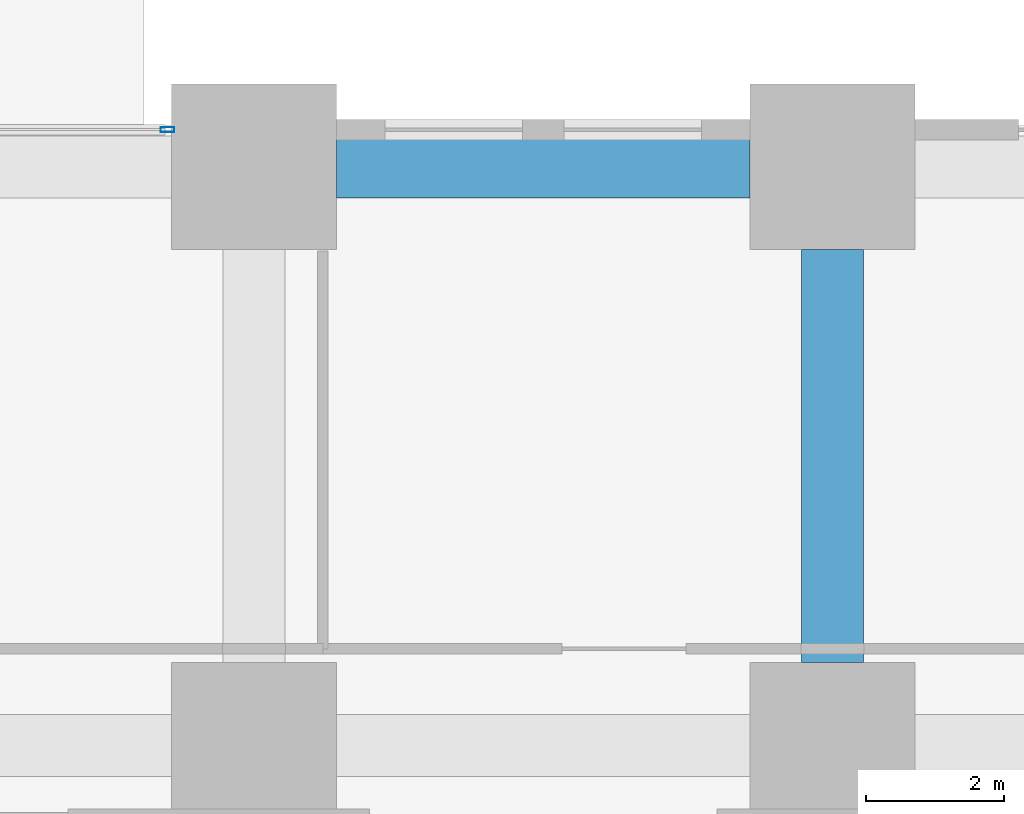
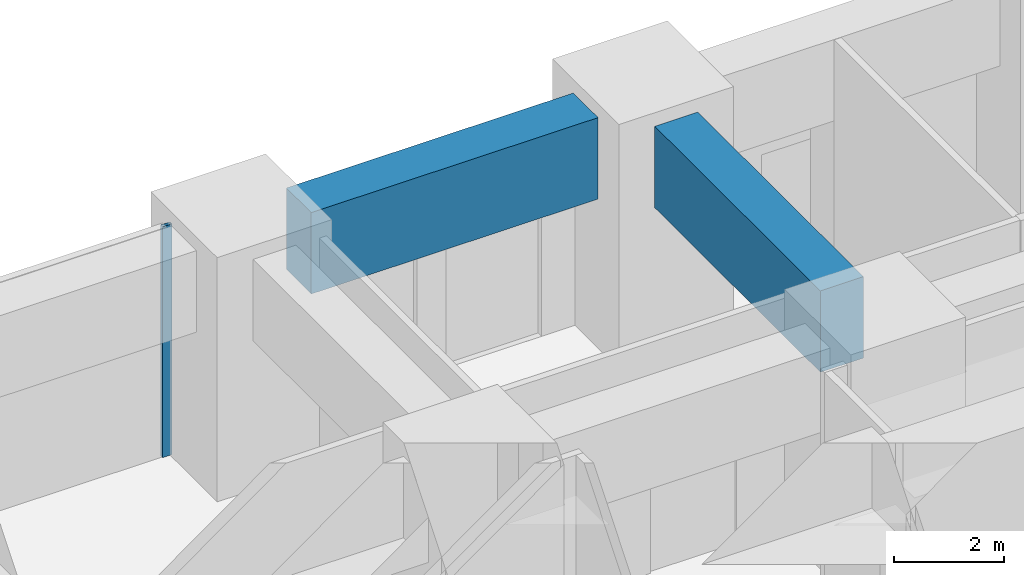
# One storey, part 26 of 81: 2 beams, 1 member, 1 element without a shape of its own.
"""IFC4 building model written with IfcOpenShell, lengths in metres."""

import ifcopenshell
import ifcopenshell.guid

model = None  # the IFC model being written
_history = None  # IfcOwnerHistory: only IFC2X3 demands one
_inside = {}  # id of a spatial element -> (the spatial element, [elements in it])
_under = {}  # id of a project, library or spatial element -> (it, [spatial elements below it])
_declared = {}  # id of a project -> (the project, [libraries it declares])
_typed = {}  # id of a type object -> (the type object, [elements of that type])
_made_of = {}  # id of a material, layer set ... -> (it, [elements and type objects made of it])


def new_model(schema):
    """Start an empty IFC model of exactly this schema.

    Asked for "IFC4X3", IfcOpenShell would pick the latest addendum, in which some entities
    have other attributes; the version numbers below select the first issue.
    IFC2X3 requires an IfcOwnerHistory on every rooted entity: one is made here for all.
    """
    global model, _history
    if schema == "IFC4X3":
        model = ifcopenshell.file(schema_version=(4, 3, 0, 0))
    else:
        model = ifcopenshell.file(schema=schema)
    _inside.clear()
    _under.clear()
    _declared.clear()
    _typed.clear()
    _made_of.clear()
    _history = None
    if model.schema == "IFC2X3":
        org = make("IfcOrganization", Name="unknown")
        user = make(
            "IfcPersonAndOrganization",
            ThePerson=make("IfcPerson", FamilyName="unknown"),
            TheOrganization=org,
        )
        app = make(
            "IfcApplication",
            ApplicationDeveloper=org,
            Version="unknown",
            ApplicationFullName="unknown",
            ApplicationIdentifier="unknown",
        )
        _history = make(
            "IfcOwnerHistory",
            OwningUser=user,
            OwningApplication=app,
            ChangeAction="ADDED",
            CreationDate=0,
        )
    return model


def make(cls, **values):
    """One entity of the class cls with the attributes given. An attribute that is None is left unset."""
    return model.create_entity(
        cls, **{name: value for name, value in values.items() if value is not None}
    )


def rooted(cls, **values):
    """An entity with a GlobalId (a new one), such as an element, a storey or a relation."""
    return make(cls, GlobalId=ifcopenshell.guid.new(), OwnerHistory=_history, **values)


def si_unit(unit_type, name, prefix=None):
    """IfcSIUnit, for example si_unit("LENGTHUNIT", "METRE", prefix="MILLI")."""
    return make("IfcSIUnit", UnitType=unit_type, Prefix=prefix, Name=name)


def assignment(units):
    """IfcUnitAssignment: the units of a project."""
    return None if units is None else make("IfcUnitAssignment", Units=units)


def point(xyz):
    """IfcCartesianPoint."""
    return None if xyz is None else make("IfcCartesianPoint", Coordinates=xyz)


def direction(xyz):
    """IfcDirection."""
    return None if xyz is None else make("IfcDirection", DirectionRatios=xyz)


def frame(location, z_axis=None, x_axis=None):
    """IfcAxis2Placement3D, a coordinate frame: its origin and axes. An axis left out is left unset."""
    return make(
        "IfcAxis2Placement3D",
        Location=point(location),
        Axis=direction(z_axis),
        RefDirection=direction(x_axis),
    )


def frame_2d(location, x_axis=None):
    """IfcAxis2Placement2D, a coordinate frame in the plane: its origin and x axis."""
    return make(
        "IfcAxis2Placement2D", Location=point(location), RefDirection=direction(x_axis)
    )


def origin():
    """The frame at (0, 0, 0) with its axes left unset."""
    return frame((0.0, 0.0, 0.0))


def origin_2d():
    """The frame at (0, 0) in the plane with its x axis left unset."""
    return frame_2d((0.0, 0.0))


def place(relative_to, where):
    """IfcLocalPlacement: puts the frame where relative to a parent placement (None: the world)."""
    return make(
        "IfcLocalPlacement", PlacementRelTo=relative_to, RelativePlacement=where
    )


def context(
    kind, dimensions, precision=None, world=None, true_north=None, identifier=None
):
    """IfcGeometricRepresentationContext, for example the 3D "Model" context."""
    return make(
        "IfcGeometricRepresentationContext",
        ContextIdentifier=identifier,
        ContextType=kind,
        CoordinateSpaceDimension=dimensions,
        Precision=precision,
        WorldCoordinateSystem=world,
        TrueNorth=true_north,
    )


def subcontext(parent, identifier, kind, view, scale=None):
    """IfcGeometricRepresentationSubContext, for example "Body" below "Model"."""
    return make(
        "IfcGeometricRepresentationSubContext",
        ContextIdentifier=identifier,
        ContextType=kind,
        ParentContext=parent,
        TargetScale=scale,
        TargetView=view,
    )


def project(units=None, contexts=None):
    """IfcProject with its units and contexts."""
    return rooted(
        "IfcProject",
        Name="project",
        RepresentationContexts=contexts,
        UnitsInContext=assignment(units),
    )


def spatial(cls, under=None, at=None, **own):
    """A site, building, storey or space (cls), placed at a placement, below another one or the project."""
    s = rooted(cls, ObjectPlacement=at, **own)
    if under is not None:
        _under.setdefault(under.id(), (under, []))[1].append(s)
    return s


def profile(cls, at=None, kind="AREA", **sizes):
    """A parametric profile (cls). Its sizes go by their IFC names, for example OverallWidth=200.0."""
    return make(cls, ProfileType=kind, Position=at, **sizes)


def rectangle(**sizes):
    """IfcRectangleProfileDef."""
    return profile("IfcRectangleProfileDef", **sizes)


def hollow_rectangle(**sizes):
    """IfcRectangleHollowProfileDef."""
    return profile("IfcRectangleHollowProfileDef", **sizes)


def extrude(swept, where, along, depth):
    """IfcExtrudedAreaSolid: the profile swept, set in the frame where, extruded along a direction by depth."""
    return make(
        "IfcExtrudedAreaSolid",
        SweptArea=swept,
        Position=where,
        ExtrudedDirection=direction(along),
        Depth=depth,
    )


def shape(context_of_items, identifier, shape_type, items):
    """IfcShapeRepresentation: the items that make up one representation, for example the "Body"."""
    return make(
        "IfcShapeRepresentation",
        ContextOfItems=context_of_items,
        RepresentationIdentifier=identifier,
        RepresentationType=shape_type,
        Items=items,
    )


def material(Name=None, Category=None):
    """IfcMaterial."""
    return make("IfcMaterial", Name=Name, Category=Category)


def material_profile(
    of_material, cross_section, Name=None, Category=None, Priority=None
):
    """IfcMaterialProfile: a cross section and its material."""
    return make(
        "IfcMaterialProfile",
        Name=Name,
        Material=of_material,
        Profile=cross_section,
        Priority=Priority,
        Category=Category,
    )


def profile_set(profiles, Name=None, composite=None):
    """IfcMaterialProfileSet."""
    return make(
        "IfcMaterialProfileSet",
        Name=Name,
        MaterialProfiles=profiles,
        CompositeProfile=composite,
    )


def made_of(thing, what):
    """Note that an element or type object is made of a material, layer set ...; save() writes the relation."""
    if what is not None:
        _made_of.setdefault(what.id(), (what, []))[1].append(thing)
    return thing


def type_object(cls, material=None, **own):
    """A type object (cls), such as IfcWallType, which elements share."""
    return made_of(rooted(cls, **own), material)


def element(
    cls,
    number,
    at=None,
    inside=None,
    cuts=None,
    type_object=None,
    material=None,
    context=None,
    identifier="Body",
    shape_type=None,
    held_by="IfcProductDefinitionShape",
    body=None,
    shapes=None,
    **own,
):
    """One element of the class cls, such as IfcWall. Its Tag is "e" and its number.

    at: its placement. inside: the storey or other place that contains it. cuts: it is an
    opening in that element (IfcRelVoidsElement). A single representation is given by context,
    identifier, shape_type and body (its items); several are given by shapes. held_by: the class
    of the entity that holds the representations. save() writes the other relations.
    """
    e = rooted(cls, Tag="e%d" % number, ObjectPlacement=at, **own)
    if body is not None:
        shapes = [shape(context, identifier, shape_type, body)]
    if shapes is not None:
        e.Representation = make(held_by, Representations=shapes)
    if inside is not None:
        _inside.setdefault(inside.id(), (inside, []))[1].append(e)
    if cuts is not None:
        rooted(
            "IfcRelVoidsElement", RelatingBuildingElement=cuts, RelatedOpeningElement=e
        )
    if type_object is not None:
        _typed.setdefault(type_object.id(), (type_object, []))[1].append(e)
    return made_of(e, material)


def aggregate(whole, parts):
    """IfcRelAggregates: a whole, such as a stair, and the parts it consists of."""
    return rooted("IfcRelAggregates", RelatingObject=whole, RelatedObjects=parts)


def save(model, path):
    """Write the relations noted so far, then the file.

    IfcRelAggregates (storeys below a building ...), IfcRelContainedInSpatialStructure (elements
    in a storey), IfcRelDefinesByType, IfcRelAssociatesMaterial and IfcRelDeclares: one each for
    every whole, place, type object, material and project.
    """
    for whole, parts in _under.values():
        aggregate(whole, parts)
    for where, things in _inside.values():
        rooted(
            "IfcRelContainedInSpatialStructure",
            RelatedElements=things,
            RelatingStructure=where,
        )
    for kind, things in _typed.values():
        rooted("IfcRelDefinesByType", RelatedObjects=things, RelatingType=kind)
    for what, things in _made_of.values():
        rooted("IfcRelAssociatesMaterial", RelatedObjects=things, RelatingMaterial=what)
    for by, libraries in _declared.values():
        rooted("IfcRelDeclares", RelatingContext=by, RelatedDefinitions=libraries)
    model.write(path)


model = new_model("IFC4")

# Units and contexts
model_context = context("Model", 3, precision=1e-05, world=origin(), true_north=direction((0.0, 1.0)))
body_context = subcontext(model_context, "Body", "Model", "MODEL_VIEW")
ifc_project = project(units=[si_unit("LENGTHUNIT", "METRE"), si_unit("AREAUNIT", "SQUARE_METRE"), si_unit("VOLUMEUNIT", "CUBIC_METRE"), si_unit("PLANEANGLEUNIT", "RADIAN"), si_unit("MASSUNIT", "GRAM", prefix="KILO")], contexts=[model_context])

# Site, building, storey
site_placement = place(None, origin())
site = spatial("IfcSite", under=ifc_project, at=site_placement, CompositionType="ELEMENT")
building_placement = place(site_placement, origin())
building = spatial("IfcBuilding", under=site, at=building_placement, Name="Rekha Terrace Tower", CompositionType="ELEMENT")
storey_placement = place(building_placement, origin())
storey = spatial("IfcBuildingStorey", under=building, at=storey_placement, Name="L00", CompositionType="ELEMENT", Elevation=0.0)

# Curtain wall, member
ifc_material_1 = material(Name="Aluminium framing", Category="aluminium")
curtain_wall_type = type_object("IfcCurtainWallType", Name="CW4 podium shopfront glazing", PredefinedType="USERDEFINED", material=ifc_material_1)
curtain_wall_placement = place(storey_placement, origin())
curtain_wall = element("IfcCurtainWall", 1, at=curtain_wall_placement, inside=storey, type_object=curtain_wall_type, Name="CW4 shopfront curtain wall", ObjectType="SHOPFRONT CURTAIN WALL", PredefinedType="USERDEFINED")
ifc_material_2 = material(Name="Aluminium mullion section", Category="aluminium")
ifc_material_profile_1 = material_profile(ifc_material_2, hollow_rectangle(XDim=0.074951171875, YDim=0.199951171875, WallThickness=0.00390625, at=origin_2d()), Name="AL RHS 75x200")
ifc_profile_set_1 = profile_set([ifc_material_profile_1], Name="Aluminium mullion section")
member_type = type_object("IfcMemberType", Name="CW4 mullion RHS 75 x 200", PredefinedType="MULLION", material=ifc_profile_set_1)
member_placement = place(storey_placement, frame((32.342529296875, 59.340087890625, 0.0), z_axis=(0.0, 0.0, 1.0), x_axis=(0.0, -1.0, 0.0)))
member = element("IfcMember", 2, at=member_placement, type_object=member_type, Name="CW4 mullion 1", PredefinedType="MULLION", context=body_context, shape_type="SweptSolid", body=[
    extrude(hollow_rectangle(XDim=0.074951171875, YDim=0.199951171875, WallThickness=0.00390625, at=origin_2d()), origin(), (0.0, 0.0, 1.0), 5.10009765625),
])
aggregate(curtain_wall, [member])

# Beams
ifc_material_3 = material(Name="Concrete M60", Category="concrete")
ifc_material_profile_2 = material_profile(ifc_material_3, rectangle(XDim=0.89990234375, YDim=1.800048828125, at=origin_2d()), Name="RC 900x1800")
ifc_profile_set_2 = profile_set([ifc_material_profile_2], Name="Concrete M60")
beam_type = type_object("IfcBeamType", Name="G1 900x1800 podium floor beam", PredefinedType="BEAM", material=ifc_profile_set_2)
for number, where, z_axis, x_axis, name in (
    (3, (34.800048828125, 58.800048828125, 4.199951171875), (1.0, 0.0, 0.0), (0.0, 1.0, 0.0), "Beam G1 5H-6H under L01"),
    (4, (42.0, 51.60009765625, 4.199951171875), (0.0, 1.0, 0.0), (-1.0, 0.0, 0.0), "Beam G1 6G-6H under L01"),
):
    element("IfcBeam", number, at=place(storey_placement, frame(where, z_axis=z_axis, x_axis=x_axis)), inside=storey, type_object=beam_type, Name=name, PredefinedType="BEAM", context=body_context, shape_type="SweptSolid", body=[
        extrude(rectangle(XDim=0.89990234375, YDim=1.800048828125, at=origin_2d()), origin(), (0.0, 0.0, 1.0), 6.0),
    ])

save(model, "model.ifc")
